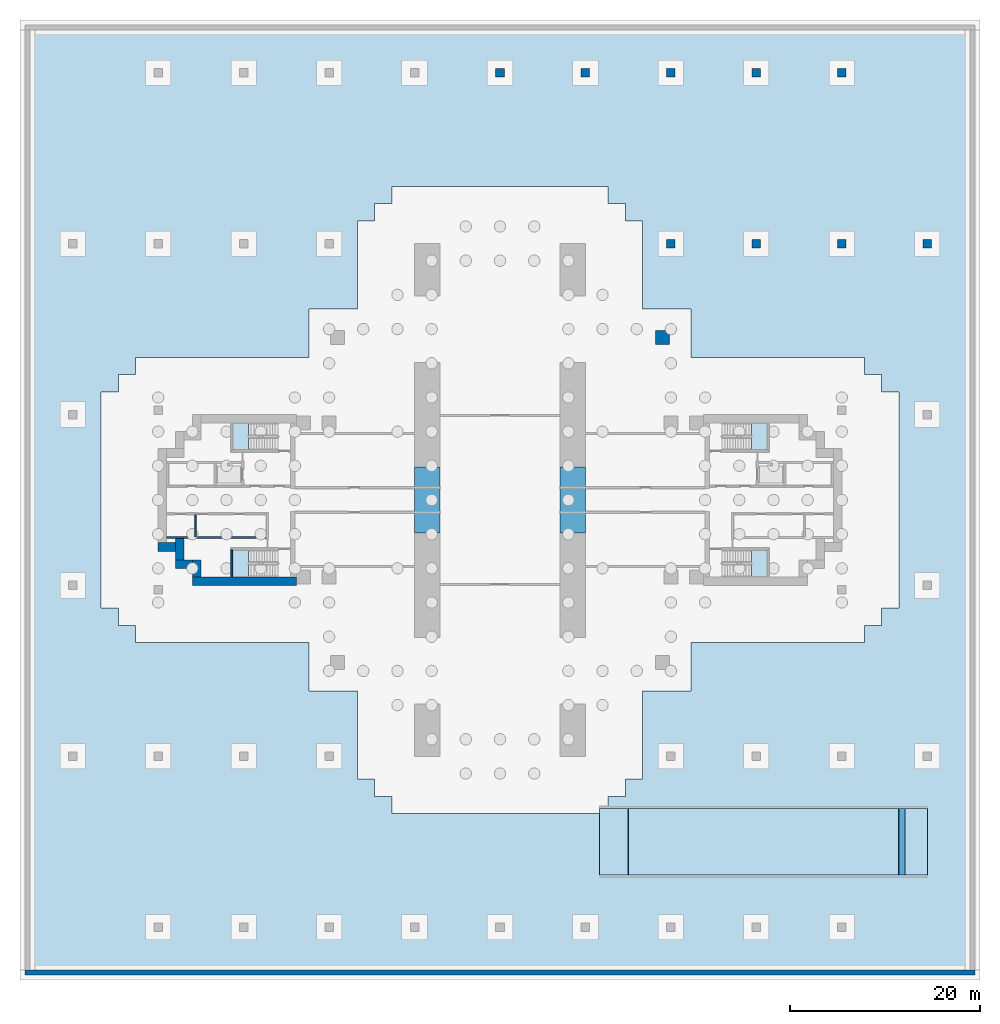
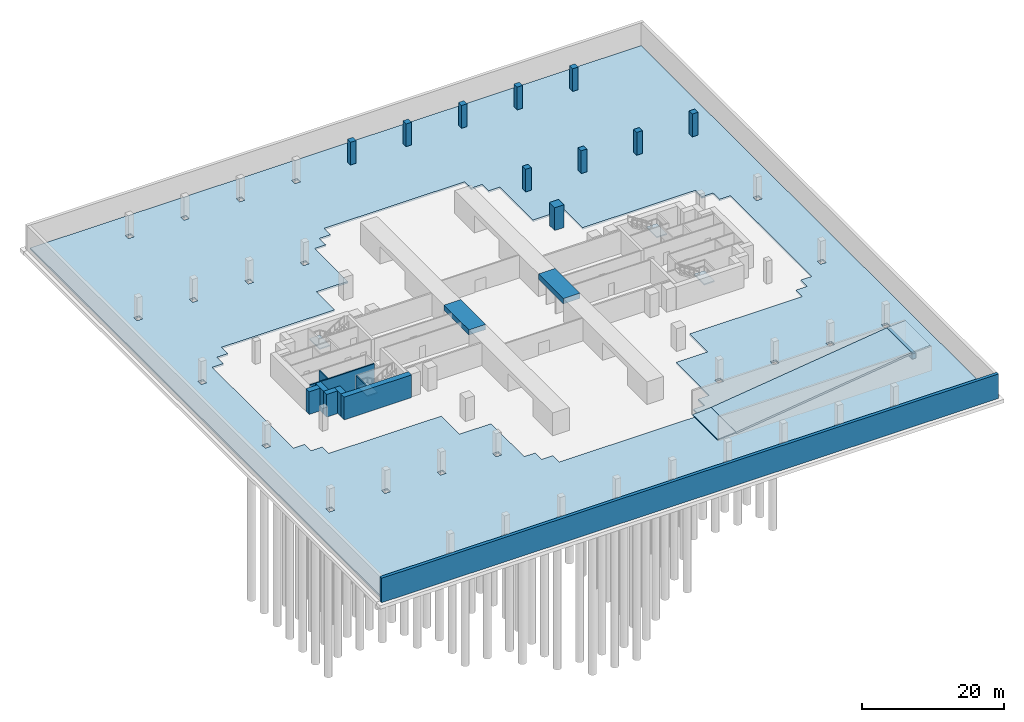
# One storey, part 2 of 11: 10 columns, 9 walls, 8 slabs, 3 beams, 4 elements without a shape of their own.
"""IFC4 building model written with IfcOpenShell, lengths in metres."""

from ifc_helpers import new_model, si_unit, direction, frame, frame_2d, origin, origin_2d, place, context, subcontext, project, spatial, polyline, rectangle, outline, extrude, material, layer, layer_set, material_profile, profile_set, type_object, element, aggregate, save


model = new_model("IFC4")

# Units and contexts
model_context = context("Model", 3, precision=1e-05, world=origin(), true_north=direction((0.0, 1.0)))
body_context = subcontext(model_context, "Body", "Model", "MODEL_VIEW")
ifc_project = project(units=[si_unit("LENGTHUNIT", "METRE"), si_unit("AREAUNIT", "SQUARE_METRE"), si_unit("VOLUMEUNIT", "CUBIC_METRE"), si_unit("PLANEANGLEUNIT", "RADIAN"), si_unit("MASSUNIT", "GRAM", prefix="KILO")], contexts=[model_context])

# Site, building, storey
site_placement = place(None, origin())
site = spatial("IfcSite", under=ifc_project, at=site_placement, CompositionType="ELEMENT")
building_placement = place(site_placement, origin())
building = spatial("IfcBuilding", under=site, at=building_placement, Name="Perihelion Cross Residences", CompositionType="ELEMENT")
storey_placement = place(building_placement, frame((0.0, 0.0, -17.10009765625)))
storey = spatial("IfcBuildingStorey", under=building, at=storey_placement, Name="B4", CompositionType="ELEMENT", Elevation=-17.10009765625)

# Columns
ifc_material_1 = material(Name="Concrete C80/95", Category="concrete")
ifc_material_profile_1 = material_profile(ifc_material_1, rectangle(XDim=1.5, YDim=1.5, at=origin_2d()), Name="RC 1500x1500")
ifc_profile_set_1 = profile_set([ifc_material_profile_1], Name="Concrete C80/95")
column_type_1 = type_object("IfcColumnType", Name="Reinforced concrete column 1500x1500 C80/95", PredefinedType="COLUMN", material=ifc_profile_set_1)
column_placement = place(storey_placement, frame((17.10009765625, 17.10009765625, 0.0), z_axis=(0.0, 0.0, 1.0), x_axis=(1.0, 0.0, 0.0)))
element("IfcColumn", 1, at=column_placement, inside=storey, type_object=column_type_1, Name="Column C009 B4 no. 1", PredefinedType="COLUMN", context=body_context, shape_type="SweptSolid", body=[
    extrude(rectangle(XDim=1.5, YDim=1.5, at=origin_2d()), origin(), (0.0, 0.0, 1.0), 3.900146484375),
])
ifc_material_2 = material(Name="Concrete C50/60", Category="concrete")
ifc_material_profile_2 = material_profile(ifc_material_2, rectangle(XDim=0.89990234375, YDim=0.89990234375, at=origin_2d()), Name="RC 900x900")
ifc_profile_set_2 = profile_set([ifc_material_profile_2], Name="Concrete C50/60")
column_type_2 = type_object("IfcColumnType", Name="Reinforced concrete column 900x900 C50/60", PredefinedType="COLUMN", material=ifc_profile_set_2)
for number, where, z_axis, x_axis, name in (
    (2, (0.0, 45.0, -0.2998046875), (0.0, 0.0, 1.0), (1.0, 0.0, 0.0), "Column CP66 B4 no. 1"),
    (3, (9.0, 45.0, -0.2998046875), (0.0, 0.0, 1.0), (1.0, 0.0, 0.0), "Column CP76 B4 no. 1"),
    (4, (18.0, 27.0, -0.2998046875), (0.0, 0.0, 1.0), (1.0, 0.0, 0.0), "Column CP85 B4 no. 1"),
    (5, (18.0, 45.0, -0.2998046875), (0.0, 0.0, 1.0), (1.0, 0.0, 0.0), "Column CP86 B4 no. 1"),
    (6, (27.0, 27.0, -0.2998046875), (0.0, 0.0, 1.0), (1.0, 0.0, 0.0), "Column CP95 B4 no. 1"),
    (7, (27.0, 45.0, -0.2998046875), (0.0, 0.0, 1.0), (1.0, 0.0, 0.0), "Column CP96 B4 no. 1"),
    (8, (36.0, 27.0, -0.2998046875), (0.0, 0.0, 1.0), (1.0, 0.0, 0.0), "Column CP105 B4 no. 1"),
    (9, (36.0, 45.0, -0.2998046875), (0.0, 0.0, 1.0), (1.0, 0.0, 0.0), "Column CP106 B4 no. 1"),
    (10, (45.0, 27.0, -0.2998046875), (0.0, 0.0, 1.0), (1.0, 0.0, 0.0), "Column CP115 B4 no. 1"),
):
    element("IfcColumn", number, at=place(storey_placement, frame(where, z_axis=z_axis, x_axis=x_axis)), inside=storey, type_object=column_type_2, Name=name, PredefinedType="COLUMN", context=body_context, shape_type="SweptSolid", body=[
        extrude(rectangle(XDim=0.89990234375, YDim=0.89990234375, at=origin_2d()), origin(), (0.0, 0.0, 1.0), 4.199951171875),
    ])

# Beams
ifc_material_3 = material(Name="Concrete C60/75", Category="concrete")
ifc_material_profile_3 = material_profile(ifc_material_3, rectangle(XDim=2.699951171875, YDim=0.89990234375, at=origin_2d()), Name="Lane lintel beam 2700 x 900 concrete C60/75")
ifc_profile_set_3 = profile_set([ifc_material_profile_3], Name="Concrete C60/75")
beam_type_1 = type_object("IfcBeamType", Name="Lane lintel beam 2700 x 900 concrete C60/75", PredefinedType="BEAM", material=ifc_profile_set_3)
for number, where, z_axis, x_axis, name in (
    (11, (7.64990234375, -3.5, 3.4501953125), (0.0, 1.0, 0.0), (-1.0, 0.0, 0.0), "Beam CB7 B4 pier east lintel"),
    (12, (-7.64990234375, -3.5, 3.4501953125), (0.0, 1.0, 0.0), (-1.0, 0.0, 0.0), "Beam CB7 B4 pier west lintel"),
):
    element("IfcBeam", number, at=place(storey_placement, frame(where, z_axis=z_axis, x_axis=x_axis)), inside=storey, type_object=beam_type_1, Name=name, PredefinedType="BEAM", context=body_context, shape_type="SweptSolid", body=[
        extrude(rectangle(XDim=2.699951171875, YDim=0.89990234375, at=origin_2d()), origin(), (0.0, 0.0, 1.0), 7.0),
    ])
ifc_material_4 = material(Name="Concrete C50/60", Category="concrete")
ifc_material_profile_4 = material_profile(ifc_material_4, rectangle(XDim=0.60009765625, YDim=0.89990234375, at=origin_2d()), Name="RC 600x900")
ifc_profile_set_4 = profile_set([ifc_material_profile_4], Name="Concrete C50/60")
beam_type_2 = type_object("IfcBeamType", Name="Ramp house end beam 600 x 900 concrete C50/60", PredefinedType="BEAM", material=ifc_profile_set_4)
beam_placement = place(storey_placement, frame((42.332275390625, -39.5, 3.2587890625), z_axis=(0.0, 1.0, 0.0), x_axis=(-1.0, 0.0, 0.0)))
element("IfcBeam", 13, at=beam_placement, inside=storey, type_object=beam_type_2, Name="Ramp bearer B3 to B4 piece 1", PredefinedType="BEAM", context=body_context, shape_type="SweptSolid", body=[
    extrude(rectangle(XDim=0.60009765625, YDim=0.89990234375, at=origin_2d()), origin(), (0.0, 0.0, 1.0), 7.0),
])

# Slab
ifc_material_5 = material(Name="Concrete C40/50", Category="concrete")
ifc_layer_1 = layer(ifc_material_5, 0.300048828125)
ifc_layer_set_1 = layer_set([ifc_layer_1], Name="Basement slab on grade concrete C40/50")
slab_type_1 = type_object("IfcSlabType", Name="Basement slab on grade concrete C40/50", PredefinedType="BASESLAB", material=ifc_layer_set_1)
slab_1_placement = place(storey_placement, frame((0.0, 0.0, -0.2998046875)))
element("IfcSlab", 14, at=slab_1_placement, inside=storey, type_object=slab_type_1, Name="Slab SL1 B4 1 no. 1", PredefinedType="BASESLAB", context=body_context, shape_type="SweptSolid", body=[
    extrude(outline(polyline([(-49.5, -49.5), (-49.5, 49.5), (49.5, 49.5), (49.5, -49.5), (-49.5, -49.5)]), holes=[polyline([(0.449951171875, -45.449951171875), (0.449951171875, -44.550048828125), (-0.449951171875, -44.550048828125), (-0.449951171875, -45.449951171875), (0.449951171875, -45.449951171875)]), polyline([(-35.550048828125, -45.449951171875), (-35.550048828125, -44.550048828125), (-36.449951171875, -44.550048828125), (-36.449951171875, -45.449951171875), (-35.550048828125, -45.449951171875)]), polyline([(-8.550048828125, -45.449951171875), (-8.550048828125, -44.550048828125), (-9.449951171875, -44.550048828125), (-9.449951171875, -45.449951171875), (-8.550048828125, -45.449951171875)]), polyline([(-26.550048828125, -45.449951171875), (-26.550048828125, -44.550048828125), (-27.449951171875, -44.550048828125), (-27.449951171875, -45.449951171875), (-26.550048828125, -45.449951171875)]), polyline([(-17.550048828125, -45.449951171875), (-17.550048828125, -44.550048828125), (-18.449951171875, -44.550048828125), (-18.449951171875, -45.449951171875), (-17.550048828125, -45.449951171875)]), polyline([(-35.550048828125, -27.449951171875), (-35.550048828125, -26.550048828125), (-36.449951171875, -26.550048828125), (-36.449951171875, -27.449951171875), (-35.550048828125, -27.449951171875)]), polyline([(-26.550048828125, -27.449951171875), (-26.550048828125, -26.550048828125), (-27.449951171875, -26.550048828125), (-27.449951171875, -27.449951171875), (-26.550048828125, -27.449951171875)]), polyline([(-18.449951171875, -27.449951171875), (-17.550048828125, -27.449951171875), (-17.550048828125, -26.550048828125), (-18.449951171875, -26.550048828125), (-18.449951171875, -27.449951171875)]), polyline([(-45.449951171875, -27.449951171875), (-44.550048828125, -27.449951171875), (-44.550048828125, -26.550048828125), (-45.449951171875, -26.550048828125), (-45.449951171875, -27.449951171875)]), polyline([(-44.550048828125, -9.449951171875), (-44.550048828125, -8.550048828125), (-45.449951171875, -8.550048828125), (-45.449951171875, -9.449951171875), (-44.550048828125, -9.449951171875)]), polyline([(-44.550048828125, 8.550048828125), (-44.550048828125, 9.449951171875), (-45.449951171875, 9.449951171875), (-45.449951171875, 8.550048828125), (-44.550048828125, 8.550048828125)]), polyline([(-26.550048828125, 26.550048828125), (-26.550048828125, 27.449951171875), (-27.449951171875, 27.449951171875), (-27.449951171875, 26.550048828125), (-26.550048828125, 26.550048828125)]), polyline([(-18.449951171875, 26.550048828125), (-17.550048828125, 26.550048828125), (-17.550048828125, 27.449951171875), (-18.449951171875, 27.449951171875), (-18.449951171875, 26.550048828125)]), polyline([(-36.449951171875, 26.550048828125), (-35.550048828125, 26.550048828125), (-35.550048828125, 27.449951171875), (-36.449951171875, 27.449951171875), (-36.449951171875, 26.550048828125)]), polyline([(-44.550048828125, 26.550048828125), (-44.550048828125, 27.449951171875), (-45.449951171875, 27.449951171875), (-45.449951171875, 26.550048828125), (-44.550048828125, 26.550048828125)]), polyline([(-26.550048828125, 44.550048828125), (-26.550048828125, 45.449951171875), (-27.449951171875, 45.449951171875), (-27.449951171875, 44.550048828125), (-26.550048828125, 44.550048828125)]), polyline([(-35.550048828125, 44.550048828125), (-35.550048828125, 45.449951171875), (-36.449951171875, 45.449951171875), (-36.449951171875, 44.550048828125), (-35.550048828125, 44.550048828125)]), polyline([(-18.449951171875, 44.550048828125), (-17.550048828125, 44.550048828125), (-17.550048828125, 45.449951171875), (-18.449951171875, 45.449951171875), (-18.449951171875, 44.550048828125)]), polyline([(-9.449951171875, 44.550048828125), (-8.550048828125, 44.550048828125), (-8.550048828125, 45.449951171875), (-9.449951171875, 45.449951171875), (-9.449951171875, 44.550048828125)]), polyline([(0.449951171875, 44.550048828125), (0.449951171875, 45.449951171875), (-0.449951171875, 45.449951171875), (-0.449951171875, 44.550048828125), (0.449951171875, 44.550048828125)]), polyline([(9.449951171875, -45.449951171875), (9.449951171875, -44.550048828125), (8.550048828125, -44.550048828125), (8.550048828125, -45.449951171875), (9.449951171875, -45.449951171875)]), polyline([(18.449951171875, -45.449951171875), (18.449951171875, -44.550048828125), (17.550048828125, -44.550048828125), (17.550048828125, -45.449951171875), (18.449951171875, -45.449951171875)]), polyline([(35.550048828125, -45.449951171875), (36.449951171875, -45.449951171875), (36.449951171875, -44.550048828125), (35.550048828125, -44.550048828125), (35.550048828125, -45.449951171875)]), polyline([(26.550048828125, -45.449951171875), (27.449951171875, -45.449951171875), (27.449951171875, -44.550048828125), (26.550048828125, -44.550048828125), (26.550048828125, -45.449951171875)]), polyline([(27.449951171875, -27.449951171875), (27.449951171875, -26.550048828125), (26.550048828125, -26.550048828125), (26.550048828125, -27.449951171875), (27.449951171875, -27.449951171875)]), polyline([(45.449951171875, -27.449951171875), (45.449951171875, -26.550048828125), (44.550048828125, -26.550048828125), (44.550048828125, -27.449951171875), (45.449951171875, -27.449951171875)]), polyline([(36.449951171875, -27.449951171875), (36.449951171875, -26.550048828125), (35.550048828125, -26.550048828125), (35.550048828125, -27.449951171875), (36.449951171875, -27.449951171875)]), polyline([(17.550048828125, -27.449951171875), (18.449951171875, -27.449951171875), (18.449951171875, -26.550048828125), (17.550048828125, -26.550048828125), (17.550048828125, -27.449951171875)]), polyline([(44.550048828125, -9.449951171875), (45.449951171875, -9.449951171875), (45.449951171875, -8.550048828125), (44.550048828125, -8.550048828125), (44.550048828125, -9.449951171875)]), polyline([(-40.199951171875, -11.39990234375), (-40.199951171875, -13.199951171875), (-38.39990234375, -13.199951171875), (-38.39990234375, -15.0), (-20.10009765625, -15.0), (-20.10009765625, -20.10009765625), (-15.0, -20.10009765625), (-15.0, -29.39990234375), (-13.199951171875, -29.39990234375), (-13.199951171875, -31.199951171875), (-11.39990234375, -31.199951171875), (-11.39990234375, -33.0), (11.39990234375, -33.0), (11.39990234375, -31.199951171875), (13.199951171875, -31.199951171875), (13.199951171875, -29.39990234375), (15.0, -29.39990234375), (15.0, -20.10009765625), (20.10009765625, -20.10009765625), (20.10009765625, -15.0), (38.39990234375, -15.0), (38.39990234375, -13.199951171875), (40.199951171875, -13.199951171875), (40.199951171875, -11.39990234375), (42.0, -11.39990234375), (42.0, 11.39990234375), (40.199951171875, 11.39990234375), (40.199951171875, 13.199951171875), (38.39990234375, 13.199951171875), (38.39990234375, 15.0), (20.10009765625, 15.0), (20.10009765625, 20.10009765625), (15.0, 20.10009765625), (15.0, 29.39990234375), (13.199951171875, 29.39990234375), (13.199951171875, 31.199951171875), (11.39990234375, 31.199951171875), (11.39990234375, 33.0), (-11.39990234375, 33.0), (-11.39990234375, 31.199951171875), (-13.199951171875, 31.199951171875), (-13.199951171875, 29.39990234375), (-15.0, 29.39990234375), (-15.0, 20.10009765625), (-20.10009765625, 20.10009765625), (-20.10009765625, 15.0), (-38.39990234375, 15.0), (-38.39990234375, 13.199951171875), (-40.199951171875, 13.199951171875), (-40.199951171875, 11.39990234375), (-42.0, 11.39990234375), (-42.0, -11.39990234375), (-40.199951171875, -11.39990234375)]), polyline([(45.449951171875, 8.550048828125), (45.449951171875, 9.449951171875), (44.550048828125, 9.449951171875), (44.550048828125, 8.550048828125), (45.449951171875, 8.550048828125)]), polyline([(27.449951171875, 26.550048828125), (27.449951171875, 27.449951171875), (26.550048828125, 27.449951171875), (26.550048828125, 26.550048828125), (27.449951171875, 26.550048828125)]), polyline([(17.550048828125, 26.550048828125), (18.449951171875, 26.550048828125), (18.449951171875, 27.449951171875), (17.550048828125, 27.449951171875), (17.550048828125, 26.550048828125)]), polyline([(35.550048828125, 26.550048828125), (36.449951171875, 26.550048828125), (36.449951171875, 27.449951171875), (35.550048828125, 27.449951171875), (35.550048828125, 26.550048828125)]), polyline([(45.449951171875, 26.550048828125), (45.449951171875, 27.449951171875), (44.550048828125, 27.449951171875), (44.550048828125, 26.550048828125), (45.449951171875, 26.550048828125)]), polyline([(27.449951171875, 44.550048828125), (27.449951171875, 45.449951171875), (26.550048828125, 45.449951171875), (26.550048828125, 44.550048828125), (27.449951171875, 44.550048828125)]), polyline([(18.449951171875, 44.550048828125), (18.449951171875, 45.449951171875), (17.550048828125, 45.449951171875), (17.550048828125, 44.550048828125), (18.449951171875, 44.550048828125)]), polyline([(35.550048828125, 44.550048828125), (36.449951171875, 44.550048828125), (36.449951171875, 45.449951171875), (35.550048828125, 45.449951171875), (35.550048828125, 44.550048828125)]), polyline([(8.550048828125, 44.550048828125), (9.449951171875, 44.550048828125), (9.449951171875, 45.449951171875), (8.550048828125, 45.449951171875), (8.550048828125, 44.550048828125)])]), origin(), (0.0, 0.0, 1.0), 0.2998046875),
])

# Stair, slab
ifc_material_6 = material(Name="Concrete C40/50", Category="concrete")
stair_type = type_object("IfcStairType", Name="Exit stair, half-turn", PredefinedType="HALF_TURN_STAIR", material=ifc_material_6)
stair_1_placement = place(storey_placement, origin())
stair_1 = element("IfcStair", 15, at=stair_1_placement, inside=storey, type_object=stair_type, Name="B4 East core exit stair 1", PredefinedType="HALF_TURN_STAIR")
ifc_material_7 = material(Name="Concrete C40/50", Category="concrete")
ifc_layer_2 = layer(ifc_material_7, 0.199951171875)
ifc_layer_set_2 = layer_set([ifc_layer_2], Name="Exit stair landing 200")
slab_type_2 = type_object("IfcSlabType", Name="Exit stair landing 200", PredefinedType="LANDING", material=ifc_layer_set_2)
slab_2_placement = place(storey_placement, frame((0.0, 0.0, 1.900146484375)))
slab_2 = element("IfcSlab", 16, at=slab_2_placement, type_object=slab_type_2, Name="ST-E1 landing 1", PredefinedType="LANDING", context=body_context, shape_type="SweptSolid", body=[
    extrude(outline(polyline([(26.47998046875, 5.25), (28.14990234375, 5.25), (28.14990234375, 8.10009765625), (26.47998046875, 8.10009765625), (26.47998046875, 5.25)])), origin(), (0.0, 0.0, 1.0), 0.199951171875),
])
aggregate(stair_1, [slab_2])

stair_2_placement = place(storey_placement, origin())
stair_2 = element("IfcStair", 17, at=stair_2_placement, inside=storey, type_object=stair_type, Name="B4 East core exit stair 2", PredefinedType="HALF_TURN_STAIR")
slab_3_placement = place(storey_placement, frame((0.0, 0.0, 1.900146484375)))
slab_3 = element("IfcSlab", 18, at=slab_3_placement, type_object=slab_type_2, Name="ST-E2 landing 1", PredefinedType="LANDING", context=body_context, shape_type="SweptSolid", body=[
    extrude(outline(polyline([(26.47998046875, -8.10009765625), (28.14990234375, -8.10009765625), (28.14990234375, -5.25), (26.47998046875, -5.25), (26.47998046875, -8.10009765625)])), origin(), (0.0, 0.0, 1.0), 0.199951171875),
])
aggregate(stair_2, [slab_3])

stair_3_placement = place(storey_placement, origin())
stair_3 = element("IfcStair", 19, at=stair_3_placement, inside=storey, type_object=stair_type, Name="B4 West core exit stair 1", PredefinedType="HALF_TURN_STAIR")
slab_4_placement = place(storey_placement, frame((0.0, 0.0, 1.900146484375)))
slab_4 = element("IfcSlab", 20, at=slab_4_placement, type_object=slab_type_2, Name="ST-W1 landing 1", PredefinedType="LANDING", context=body_context, shape_type="SweptSolid", body=[
    extrude(outline(polyline([(-26.47998046875, 8.10009765625), (-28.14990234375, 8.10009765625), (-28.14990234375, 5.25), (-26.47998046875, 5.25), (-26.47998046875, 8.10009765625)])), origin(), (0.0, 0.0, 1.0), 0.199951171875),
])
aggregate(stair_3, [slab_4])

stair_4_placement = place(storey_placement, origin())
stair_4 = element("IfcStair", 21, at=stair_4_placement, inside=storey, type_object=stair_type, Name="B4 West core exit stair 2", PredefinedType="HALF_TURN_STAIR")
slab_5_placement = place(storey_placement, frame((0.0, 0.0, 1.900146484375)))
slab_5 = element("IfcSlab", 22, at=slab_5_placement, type_object=slab_type_2, Name="ST-W2 landing 1", PredefinedType="LANDING", context=body_context, shape_type="SweptSolid", body=[
    extrude(outline(polyline([(-26.47998046875, -5.25), (-28.14990234375, -5.25), (-28.14990234375, -8.10009765625), (-26.47998046875, -8.10009765625), (-26.47998046875, -5.25)])), origin(), (0.0, 0.0, 1.0), 0.199951171875),
])
aggregate(stair_4, [slab_5])

# Slabs
ifc_material_8 = material(Name="Concrete C40/50", Category="concrete")
ifc_layer_3 = layer(ifc_material_8, 0.300048828125)
ifc_layer_set_3 = layer_set([ifc_layer_3], Name="Vehicle ramp slab 300 concrete C40/50")
slab_type_3 = type_object("IfcSlabType", Name="Vehicle ramp slab 300 concrete C40/50", PredefinedType="USERDEFINED", material=ifc_layer_set_3)
slab_6_placement = place(storey_placement, frame((45.0, -39.5, 4.2001953125), z_axis=(-0.064191002495, 0.0, 0.997937630916), x_axis=(-0.997937630916, 0.0, -0.064191002495)))
element("IfcSlab", 23, at=slab_6_placement, inside=storey, type_object=slab_type_3, Name="Vehicle ramp B3 to B4 slab 1", ObjectType="VEHICLE RAMP", PredefinedType="USERDEFINED", context=body_context, shape_type="SweptSolid", body=[
    extrude(outline(polyline([(0.0, 0.0), (2.9932336995174738, 0.0), (2.9932336995174738, -6.999999999999999), (0.0, -7.0), (0.0, 0.0)])), origin(), (0.0, 0.0, -1.0), 0.300048828125),
])
slab_7_placement = place(storey_placement, frame((41.987060546875, -39.5, 4.005615234375), z_axis=(-0.127519352301, 0.0, 0.991836082621), x_axis=(-0.991836082621, 0.0, -0.127519352301)))
element("IfcSlab", 24, at=slab_7_placement, inside=storey, type_object=slab_type_3, Name="Vehicle ramp B3 to B4 slab 2", ObjectType="VEHICLE RAMP", PredefinedType="USERDEFINED", context=body_context, shape_type="SweptSolid", body=[
    extrude(outline(polyline([(0.0, 0.0), (28.708494873981145, 0.0), (28.708494873981145, -7.0), (0.0, -7.0), (0.0, 0.0)])), origin(), (0.0, 0.0, -1.0), 0.300048828125),
])
ifc_material_9 = material(Name="Concrete C40/50", Category="concrete")
ifc_layer_4 = layer(ifc_material_9, 0.14990234375)
ifc_layer_set_4 = layer_set([ifc_layer_4], Name="Vehicle ramp toe slab 150 concrete C40/50")
slab_type_4 = type_object("IfcSlabType", Name="Vehicle ramp toe slab 150 concrete C40/50", PredefinedType="USERDEFINED", material=ifc_layer_set_4)
slab_8_placement = place(storey_placement, frame((13.487060546875, -39.5, 0.342041015625), z_axis=(-0.064109773771, 0.0, 0.997942852526), x_axis=(-0.997942852526, 0.0, -0.064109773771)))
element("IfcSlab", 25, at=slab_8_placement, inside=storey, type_object=slab_type_4, Name="Vehicle ramp B3 to B4 slab 3", ObjectType="VEHICLE RAMP", PredefinedType="USERDEFINED", context=body_context, shape_type="SweptSolid", body=[
    extrude(outline(polyline([(0.0, 0.0), (2.9932180378015953, 0.0), (2.9932180378015953, -7.0), (0.0, -7.0), (0.0, 0.0)])), origin(), (0.0, 0.0, -1.0), 0.14990234375),
])

# Walls
ifc_material_10 = material(Name="Concrete C40/50", Category="concrete")
ifc_layer_5 = layer(ifc_material_10, 0.5)
ifc_layer_set_5 = layer_set([ifc_layer_5], Name="Basement retaining wall 500 concrete C40/50")
wall_type_1 = type_object("IfcWallType", Name="Basement retaining wall 500 concrete C40/50", PredefinedType="SOLIDWALL", material=ifc_layer_set_5)
wall_1_placement = place(storey_placement, frame((-50.0, -49.75, -0.2998046875), z_axis=(0.0, 0.0, 1.0), x_axis=(1.0, 0.0, 0.0)))
element("IfcWall", 26, at=wall_1_placement, inside=storey, type_object=wall_type_1, Name="Wall SW1 B4 retaining south", PredefinedType="SOLIDWALL", context=body_context, shape_type="SweptSolid", body=[
    extrude(rectangle(XDim=100.0, YDim=0.5, at=frame_2d((50.0, 0.0))), origin(), (0.0, 0.0, 1.0), 4.199951171875),
])
ifc_material_11 = material(Name="Concrete C60/75", Category="concrete")
ifc_layer_6 = layer(ifc_material_11, 0.89990234375)
ifc_layer_set_6 = layer_set([ifc_layer_6], Name="Core wall, outer 900")
wall_type_2 = type_object("IfcWallType", Name="Core wall, outer 900", PredefinedType="SHEAR", material=ifc_layer_set_6)
wall_2_placement = place(storey_placement, frame((-32.39990234375, -8.550048828125, 0.0), z_axis=(0.0, 0.0, 1.0), x_axis=(1.0, 0.0, 0.0)))
element("IfcWall", 27, at=wall_2_placement, inside=storey, type_object=wall_type_2, Name="West core core wall, outer", PredefinedType="SHEAR", context=body_context, shape_type="SweptSolid", body=[
    extrude(rectangle(XDim=10.949951171875, YDim=0.89990234375, at=frame_2d((5.47509765625, 0.0))), origin(), (0.0, 0.0, 1.0), 3.900146484375),
])
for number, where, z_axis, x_axis, name in (
    (28, (-31.949951171875, -8.10009765625, 0.0), (0.0, 0.0, 1.0), (0.0, 1.0, 0.0), "West core core wall, outer"),
    (29, (-34.199951171875, -6.75, 0.0), (0.0, 0.0, 1.0), (1.0, 0.0, 0.0), "West core core wall, outer"),
):
    element("IfcWall", number, at=place(storey_placement, frame(where, z_axis=z_axis, x_axis=x_axis)), inside=storey, type_object=wall_type_2, Name=name, PredefinedType="SHEAR", context=body_context, shape_type="SweptSolid", body=[
        extrude(rectangle(XDim=1.800048828125, YDim=0.89990234375, at=frame_2d((0.89990234375, 0.0))), origin(), (0.0, 0.0, 1.0), 3.900146484375),
    ])
wall_3_placement = place(storey_placement, frame((-33.75, -6.300048828125, 0.0), z_axis=(0.0, 0.0, 1.0), x_axis=(0.0, 1.0, 0.0)))
element("IfcWall", 30, at=wall_3_placement, inside=storey, type_object=wall_type_2, Name="West core core wall, outer", PredefinedType="SHEAR", context=body_context, shape_type="SweptSolid", body=[
    extrude(rectangle(XDim=2.25, YDim=0.89990234375, at=frame_2d((1.125, 0.0))), origin(), (0.0, 0.0, 1.0), 3.900146484375),
])
wall_4_placement = place(storey_placement, frame((-36.0, -4.949951171875, 0.0), z_axis=(0.0, 0.0, 1.0), x_axis=(1.0, 0.0, 0.0)))
element("IfcWall", 31, at=wall_4_placement, inside=storey, type_object=wall_type_2, Name="West core core wall, outer", PredefinedType="SHEAR", context=body_context, shape_type="SweptSolid", body=[
    extrude(rectangle(XDim=1.800048828125, YDim=0.89990234375, at=frame_2d((0.89990234375, 0.0))), origin(), (0.0, 0.0, 1.0), 3.900146484375),
])
ifc_material_12 = material(Name="Fire-rated board on steel stud", Category="steel")
ifc_layer_7 = layer(ifc_material_12, 0.14990234375)
ifc_layer_set_7 = layer_set([ifc_layer_7], Name="Riser wall 150")
wall_type_3 = type_object("IfcWallType", Name="Riser wall 150", PredefinedType="PARTITIONING", material=ifc_layer_set_7)
wall_5_placement = place(storey_placement, frame((-32.074951171875, -3.85009765625, 0.0), z_axis=(0.0, 0.0, 1.0), x_axis=(0.0, 1.0, 0.0)))
element("IfcWall", 32, at=wall_5_placement, inside=storey, type_object=wall_type_3, Name="West core riser wall", PredefinedType="PARTITIONING", context=body_context, shape_type="SweptSolid", body=[
    extrude(rectangle(XDim=2.300048828125, YDim=0.14990234375, at=frame_2d((1.14990234375, 0.0))), origin(), (0.0, 0.0, 1.0), 3.900146484375),
])
ifc_material_13 = material(Name="Concrete C50/60", Category="concrete")
ifc_layer_8 = layer(ifc_material_13, 0.199951171875)
ifc_layer_set_8 = layer_set([ifc_layer_8], Name="Shaft wall 200")
wall_type_4 = type_object("IfcWallType", Name="Shaft wall 200", PredefinedType="SOLIDWALL", material=ifc_layer_set_8)
wall_6_placement = place(storey_placement, frame((-35.10009765625, -3.949951171875, 0.0), z_axis=(0.0, 0.0, 1.0), x_axis=(1.0, 0.0, 0.0)))
element("IfcWall", 33, at=wall_6_placement, inside=storey, type_object=wall_type_4, Name="West core shaft wall", PredefinedType="SOLIDWALL", context=body_context, shape_type="SweptSolid", body=[
    extrude(rectangle(XDim=10.5, YDim=0.199951171875, at=frame_2d((5.25, 0.0))), origin(), (0.0, 0.0, 1.0), 3.900146484375),
])
ifc_material_14 = material(Name="Concrete C50/60", Category="concrete")
ifc_layer_9 = layer(ifc_material_14, 0.199951171875)
ifc_layer_set_9 = layer_set([ifc_layer_9], Name="Stair wall 200")
wall_type_5 = type_object("IfcWallType", Name="Stair wall 200", PredefinedType="SOLIDWALL", material=ifc_layer_set_9)
wall_7_placement = place(storey_placement, frame((-28.25, -8.10009765625, 0.0), z_axis=(0.0, 0.0, 1.0), x_axis=(0.0, 1.0, 0.0)))
element("IfcWall", 34, at=wall_7_placement, inside=storey, type_object=wall_type_5, Name="West core stair wall", PredefinedType="SOLIDWALL", context=body_context, shape_type="SweptSolid", body=[
    extrude(rectangle(XDim=2.85009765625, YDim=0.199951171875, at=frame_2d((1.425048828125, 0.0))), origin(), (0.0, 0.0, 1.0), 3.900146484375),
])

save(model, "model.ifc")
